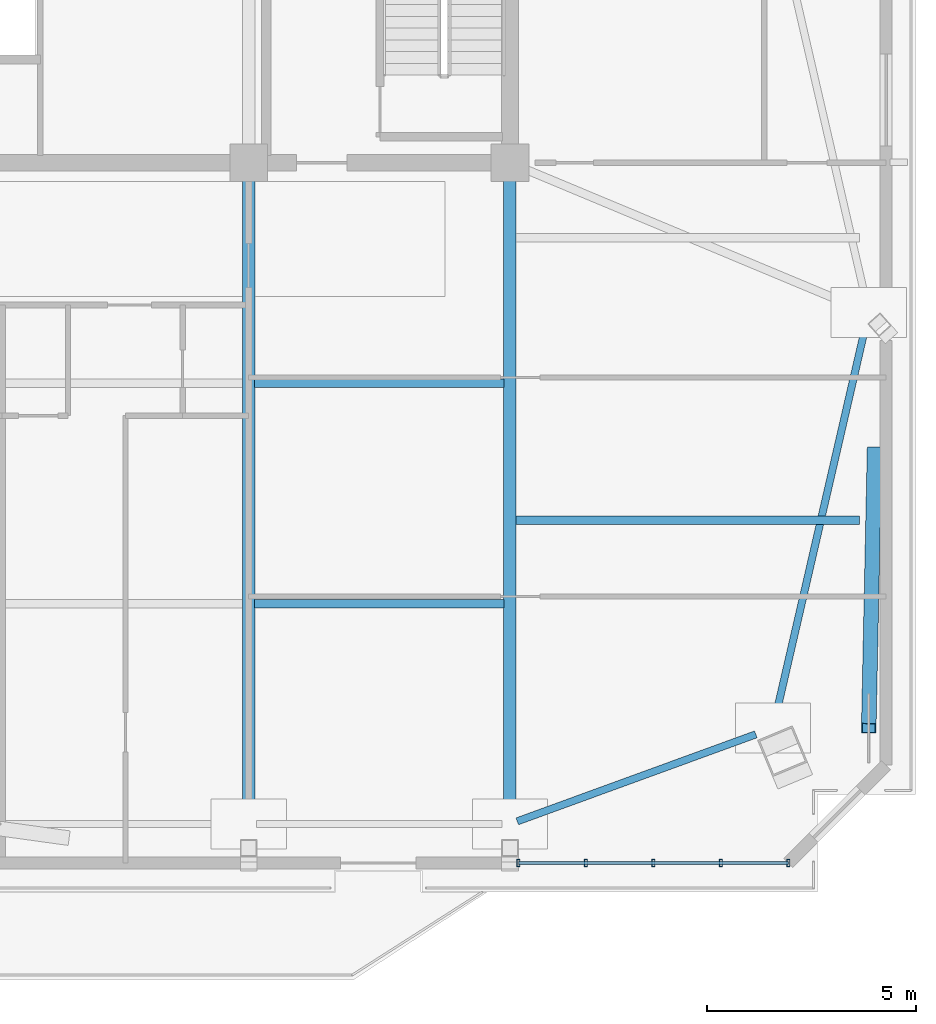
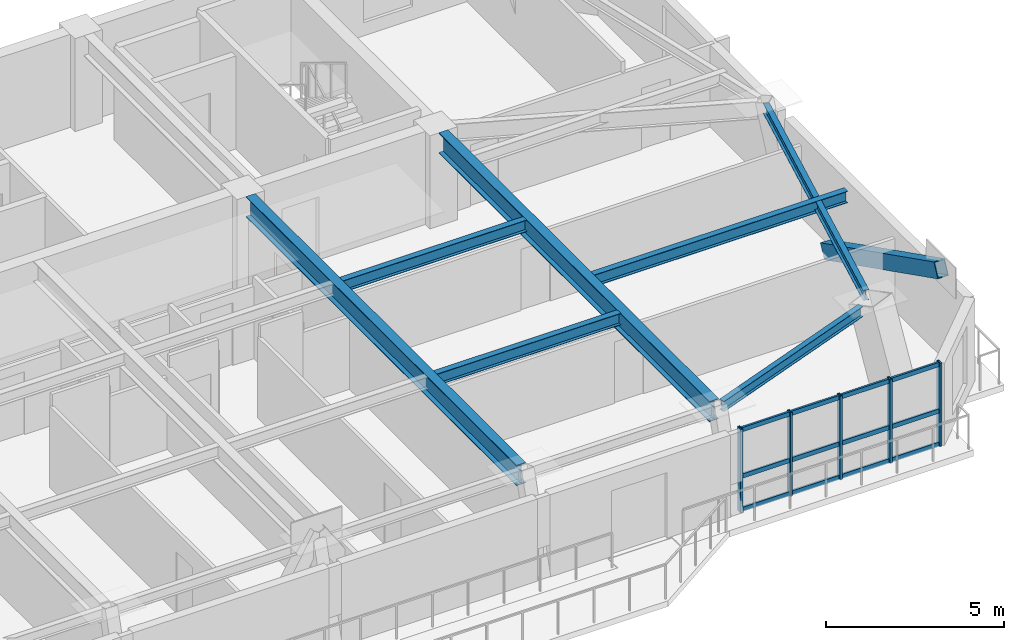
# One storey, part 4 of 14: 9 members, 7 beams, 1 element without a shape of its own.
"""IFC4 building model written with IfcOpenShell, lengths in metres."""

from ifc_helpers import new_model, si_unit, direction, frame, origin, origin_2d, place, context, subcontext, project, spatial, hollow_rectangle, i_section, extrude, source, transform, mapped, material, layer, layer_set, material_profile, profile_set, type_object, element, aggregate, save


model = new_model("IFC4")

# Units and contexts
model_context = context("Model", 3, precision=1e-05, world=origin(), true_north=direction((0.0, 1.0)))
body_context = subcontext(model_context, "Body", "Model", "MODEL_VIEW")
ifc_project = project(units=[si_unit("LENGTHUNIT", "METRE"), si_unit("AREAUNIT", "SQUARE_METRE"), si_unit("VOLUMEUNIT", "CUBIC_METRE"), si_unit("PLANEANGLEUNIT", "RADIAN"), si_unit("MASSUNIT", "GRAM", prefix="KILO")], contexts=[model_context])

# Site, building, storey
site_placement = place(None, origin())
site = spatial("IfcSite", under=ifc_project, at=site_placement, CompositionType="ELEMENT")
building_placement = place(site_placement, origin())
building = spatial("IfcBuilding", under=site, at=building_placement, Name="Giltprow Tower", CompositionType="ELEMENT")
storey_placement = place(building_placement, frame((0.0, 0.0, 321.0)))
storey = spatial("IfcBuildingStorey", under=building, at=storey_placement, Name="L83", CompositionType="ELEMENT", Elevation=321.0)

# Beams
ifc_material_1 = material(Name="Structural steel Q355B", Category="steel")
ifc_material_profile_1 = material_profile(ifc_material_1, i_section(OverallWidth=0.199951171875, OverallDepth=0.39990234375, WebThickness=0.008056640625, FlangeThickness=0.012939453125, at=origin_2d()), Name="HN 400x200x8x13")
ifc_profile_set_1 = profile_set([ifc_material_profile_1], Name="Structural steel Q355B")
beam_type_1 = type_object("IfcBeamType", Name="BM-JOIST-HN400", PredefinedType="JOIST", material=ifc_profile_set_1)
shared_shape_1 = source(origin(), body_context, "Body", "SweptSolid", [
    extrude(i_section(OverallWidth=0.199951171875, OverallDepth=0.39990234375, WebThickness=0.008056640625, FlangeThickness=0.012939453125, at=origin_2d()), origin(), (0.0, 0.0, 1.0), 5.9599609375),
])
for number, where, z_axis, x_axis, name in (
    (1, (44.445068359375, 26.906982421875, 2.985107421875), (1.0, 0.0, 0.0), (0.0, 1.0, 0.0), "L83 Composite Floor Joist 1-4"),
    (2, (44.445068359375, 32.178955078125, 2.985107421875), (1.0, 0.0, 0.0), (0.0, 1.0, 0.0), "L83 Composite Floor Joist 2-4"),
):
    element("IfcBeam", number, at=place(storey_placement, frame(where, z_axis=z_axis, x_axis=x_axis)), inside=storey, type_object=beam_type_1, Name=name, PredefinedType="JOIST", context=body_context, shape_type="MappedRepresentation", body=[
        mapped(shared_shape_1, transform((0.0, 0.0, 0.0), x_axis=(1.0, 0.0, 0.0), y_axis=(0.0, 1.0, 0.0), z_axis=(0.0, 0.0, 1.0), scale=1.0)),
    ])
ifc_material_profile_2 = material_profile(ifc_material_1, i_section(OverallWidth=0.175048828125, OverallDepth=0.35009765625, WebThickness=0.007080078125, FlangeThickness=0.010986328125, at=origin_2d()), Name="HN 350x175x7x11")
ifc_profile_set_2 = profile_set([ifc_material_profile_2], Name="Structural steel Q355B")
beam_type_2 = type_object("IfcBeamType", Name="BM-SPAN-HN350", PredefinedType="SPANDREL", material=ifc_profile_set_2)
shared_shape_2 = source(origin(), body_context, "Body", "SweptSolid", [
    extrude(i_section(OverallWidth=0.175048828125, OverallDepth=0.35009765625, WebThickness=0.007080078125, FlangeThickness=0.010986328125, at=origin_2d()), origin(), (0.0, 0.0, 1.0), 6.0732421875),
])
beam_1_placement = place(storey_placement, frame((50.72412109375, 21.698974609375, 3.010009765625), z_axis=(0.939516115667, 0.342504698365, 0.0), x_axis=(-0.342504698365, 0.939516115667, 0.0)))
element("IfcBeam", 3, at=beam_1_placement, inside=storey, type_object=beam_type_2, Name="L83 Perimeter Spandrel Beam S4-MC_SE", PredefinedType="SPANDREL", context=body_context, shape_type="MappedRepresentation", body=[
    mapped(shared_shape_2, transform((0.0, 0.0, 0.0), x_axis=(1.0, 0.0, 0.0), y_axis=(0.0, 1.0, 0.0), z_axis=(0.0, 0.0, 1.0), scale=1.0)),
])
shared_shape_3 = source(origin(), body_context, "Body", "SweptSolid", [
    extrude(i_section(OverallWidth=0.175048828125, OverallDepth=0.35009765625, WebThickness=0.007080078125, FlangeThickness=0.010986328125, at=origin_2d()), origin(), (0.0, 0.0, 1.0), 9.580810546875),
])
beam_2_placement = place(storey_placement, frame((56.93701171875, 24.35205078125, 3.010009765625), z_axis=(0.224626866527, 0.974444852639, 0.0), x_axis=(-0.974444852639, 0.224626866527, 0.0)))
element("IfcBeam", 4, at=beam_2_placement, inside=storey, type_object=beam_type_2, Name="L83 Perimeter Spandrel Beam MC_SE-E_MID", PredefinedType="SPANDREL", context=body_context, shape_type="MappedRepresentation", body=[
    mapped(shared_shape_3, transform((0.0, 0.0, 0.0), x_axis=(1.0, 0.0, 0.0), y_axis=(0.0, 1.0, 0.0), z_axis=(0.0, 0.0, 1.0), scale=1.0)),
])
ifc_material_profile_3 = material_profile(ifc_material_1, i_section(OverallWidth=0.300048828125, OverallDepth=0.699951171875, WebThickness=0.012939453125, FlangeThickness=0.02392578125, at=origin_2d()), Name="HN 700x300x13x24")
ifc_profile_set_3 = profile_set([ifc_material_profile_3], Name="Structural steel Q355B")
beam_type_3 = type_object("IfcBeamType", Name="BM-GIRD-HN700", PredefinedType="BEAM", material=ifc_profile_set_3)
shared_shape_4 = source(origin(), body_context, "Body", "SweptSolid", [
    extrude(i_section(OverallWidth=0.300048828125, OverallDepth=0.699951171875, WebThickness=0.012939453125, FlangeThickness=0.02392578125, at=origin_2d()), origin(), (0.0, 0.0, 1.0), 15.19384765625),
])
for number, where, z_axis, x_axis, name in (
    (5, (44.300048828125, 21.821044921875, 2.8349609375), (0.0, 1.0, 0.0), (-1.0, 0.0, 0.0), "L83 Primary Lease Girder S3"),
    (6, (50.550048828125, 21.821044921875, 2.8349609375), (0.0, 1.0, 0.0), (-1.0, 0.0, 0.0), "L83 Primary Lease Girder S4"),
):
    element("IfcBeam", number, at=place(storey_placement, frame(where, z_axis=z_axis, x_axis=x_axis)), inside=storey, type_object=beam_type_3, Name=name, PredefinedType="BEAM", context=body_context, shape_type="MappedRepresentation", body=[
        mapped(shared_shape_4, transform((0.0, 0.0, 0.0), x_axis=(1.0, 0.0, 0.0), y_axis=(0.0, 1.0, 0.0), z_axis=(0.0, 0.0, 1.0), scale=1.0)),
    ])
shared_shape_5 = source(origin(), body_context, "Body", "SweptSolid", [
    extrude(i_section(OverallWidth=0.199951171875, OverallDepth=0.39990234375, WebThickness=0.008056640625, FlangeThickness=0.012939453125, at=origin_2d()), origin(), (0.0, 0.0, 1.0), 8.2158203125),
])
beam_3_placement = place(storey_placement, frame((50.695068359375, 28.89794921875, 2.985107421875), z_axis=(1.0, 0.0, 0.0), x_axis=(0.0, 1.0, 0.0)))
element("IfcBeam", 7, at=beam_3_placement, inside=storey, type_object=beam_type_1, Name="L83 East Wing Floor Joist 1", PredefinedType="JOIST", context=body_context, shape_type="MappedRepresentation", body=[
    mapped(shared_shape_5, transform((0.0, 0.0, 0.0), x_axis=(1.0, 0.0, 0.0), y_axis=(0.0, 1.0, 0.0), z_axis=(0.0, 0.0, 1.0), scale=1.0)),
])

# Member
ifc_material_2 = material(Name="Structural steel Q420GJC", Category="steel")
ifc_material_profile_4 = material_profile(ifc_material_2, hollow_rectangle(XDim=0.35009765625, YDim=0.5, WallThickness=0.02392578125, at=origin_2d()), Name="RHS 500x350x24")
ifc_profile_set_4 = profile_set([ifc_material_profile_4], Name="Structural steel Q420GJC")
member_type_1 = type_object("IfcMemberType", Name="MBR-MEGA-RHS500", PredefinedType="BRACE", material=ifc_profile_set_4)
shared_shape_6 = source(origin(), body_context, "Body", "SweptSolid", [
    extrude(hollow_rectangle(XDim=0.35009765625, YDim=0.5, WallThickness=0.02392578125, at=origin_2d()), origin(), (0.0, 0.0, 1.0), 7.435302734375),
])
member_1_placement = place(storey_placement, frame((59.26904296875, 30.5390625, 0.0), z_axis=(-0.018551782726, -0.889139335288, 0.457260400429), x_axis=(0.999782399503, -0.020860336634, 0.0)))
element("IfcMember", 8, at=member_1_placement, inside=storey, type_object=member_type_1, Name="L83 Chevron Mega-Brace E-D", PredefinedType="BRACE", context=body_context, shape_type="MappedRepresentation", body=[
    mapped(shared_shape_6, transform((0.0, 0.0, 0.0), x_axis=(1.0, 0.0, 0.0), y_axis=(0.0, 1.0, 0.0), z_axis=(0.0, 0.0, 1.0), scale=1.0)),
])

# Curtain wall, members
ifc_material_3 = material(Name="Anodized bronze", Category="metal")
ifc_layer = layer(ifc_material_3, 0.179931640625, Name="Anodized bronze")
ifc_layer_set = layer_set([ifc_layer], Name="Anodized bronze")
curtain_wall_type = type_object("IfcCurtainWallType", Name="CW-RES-SKY", PredefinedType="NOTDEFINED", material=ifc_layer_set)
curtain_wall_placement = place(storey_placement, origin())
curtain_wall = element("IfcCurtainWall", 9, at=curtain_wall_placement, inside=storey, type_object=curtain_wall_type, Name="L83 South Recessed Curtain Wall 6", PredefinedType="NOTDEFINED")
ifc_material_profile_5 = material_profile(ifc_material_3, hollow_rectangle(XDim=0.074951171875, YDim=0.179931640625, WallThickness=0.008056640625, at=origin_2d()), Name="RHS 180x75x8")
ifc_profile_set_5 = profile_set([ifc_material_profile_5], Name="Anodized bronze")
member_type_2 = type_object("IfcMemberType", Name="CW-MULLION-180x75", PredefinedType="MULLION", material=ifc_profile_set_5)
shared_shape_7 = source(origin(), body_context, "Body", "SweptSolid", [
    extrude(hollow_rectangle(XDim=0.074951171875, YDim=0.179931640625, WallThickness=0.008056640625, at=origin_2d()), origin(), (0.0, 0.0, 1.0), 2.8701171875),
])
member_2_placement = place(storey_placement, frame((50.75, 20.7041015625, -0.02001953125), z_axis=(0.0, 0.0, 1.0), x_axis=(1.0, 0.0, 0.0)))
member_2 = element("IfcMember", 10, at=member_2_placement, type_object=member_type_2, Name="L83 South Recessed Curtain Wall 6 Mullion 1", PredefinedType="MULLION", context=body_context, shape_type="MappedRepresentation", body=[
    mapped(shared_shape_7, transform((0.0, 0.0, 0.0), x_axis=(1.0, 0.0, 0.0), y_axis=(0.0, 1.0, 0.0), z_axis=(0.0, 0.0, 1.0), scale=1.0)),
])
member_3_placement = place(storey_placement, frame((52.364013671875, 20.7041015625, -0.02001953125), z_axis=(0.0, 0.0, 1.0), x_axis=(1.0, 0.0, 0.0)))
member_3 = element("IfcMember", 11, at=member_3_placement, type_object=member_type_2, Name="L83 South Recessed Curtain Wall 6 Mullion 2", PredefinedType="MULLION", context=body_context, shape_type="MappedRepresentation", body=[
    mapped(shared_shape_7, transform((0.0, 0.0, 0.0), x_axis=(1.0, 0.0, 0.0), y_axis=(0.0, 1.0, 0.0), z_axis=(0.0, 0.0, 1.0), scale=1.0)),
])
member_4_placement = place(storey_placement, frame((53.97900390625, 20.7041015625, -0.02001953125), z_axis=(0.0, 0.0, 1.0), x_axis=(1.0, 0.0, 0.0)))
member_4 = element("IfcMember", 12, at=member_4_placement, type_object=member_type_2, Name="L83 South Recessed Curtain Wall 6 Mullion 3", PredefinedType="MULLION", context=body_context, shape_type="MappedRepresentation", body=[
    mapped(shared_shape_7, transform((0.0, 0.0, 0.0), x_axis=(1.0, 0.0, 0.0), y_axis=(0.0, 1.0, 0.0), z_axis=(0.0, 0.0, 1.0), scale=1.0)),
])
member_5_placement = place(storey_placement, frame((55.593017578125, 20.7041015625, -0.02001953125), z_axis=(0.0, 0.0, 1.0), x_axis=(1.0, 0.0, 0.0)))
member_5 = element("IfcMember", 13, at=member_5_placement, type_object=member_type_2, Name="L83 South Recessed Curtain Wall 6 Mullion 4", PredefinedType="MULLION", context=body_context, shape_type="MappedRepresentation", body=[
    mapped(shared_shape_7, transform((0.0, 0.0, 0.0), x_axis=(1.0, 0.0, 0.0), y_axis=(0.0, 1.0, 0.0), z_axis=(0.0, 0.0, 1.0), scale=1.0)),
])
member_6_placement = place(storey_placement, frame((57.2080078125, 20.7041015625, -0.02001953125), z_axis=(0.0, 0.0, 1.0), x_axis=(1.0, 0.0, 0.0)))
member_6 = element("IfcMember", 14, at=member_6_placement, type_object=member_type_2, Name="L83 South Recessed Curtain Wall 6 Mullion 5", PredefinedType="MULLION", context=body_context, shape_type="MappedRepresentation", body=[
    mapped(shared_shape_7, transform((0.0, 0.0, 0.0), x_axis=(1.0, 0.0, 0.0), y_axis=(0.0, 1.0, 0.0), z_axis=(0.0, 0.0, 1.0), scale=1.0)),
])
ifc_material_profile_6 = material_profile(ifc_material_3, hollow_rectangle(XDim=0.06494140625, YDim=0.14990234375, WallThickness=0.006103515625, at=origin_2d()), Name="RHS 150x65x6")
ifc_profile_set_6 = profile_set([ifc_material_profile_6], Name="Anodized bronze")
member_type_3 = type_object("IfcMemberType", Name="CW-TRANSOM-150x65", PredefinedType="USERDEFINED", material=ifc_profile_set_6)
shared_shape_8 = source(origin(), body_context, "Body", "SweptSolid", [
    extrude(hollow_rectangle(XDim=0.06494140625, YDim=0.14990234375, WallThickness=0.006103515625, at=origin_2d()), origin(), (0.0, 0.0, 1.0), 6.4580078125),
])
member_7_placement = place(storey_placement, frame((50.75, 20.7041015625, 0.0400390625), z_axis=(1.0, 0.0, 0.0), x_axis=(0.0, 1.0, 0.0)))
member_7 = element("IfcMember", 15, at=member_7_placement, type_object=member_type_3, Name="L83 South Recessed Curtain Wall 6 Transom 1", ObjectType="TRANSOM", PredefinedType="USERDEFINED", context=body_context, shape_type="MappedRepresentation", body=[
    mapped(shared_shape_8, transform((0.0, 0.0, 0.0), x_axis=(1.0, 0.0, 0.0), y_axis=(0.0, 1.0, 0.0), z_axis=(0.0, 0.0, 1.0), scale=1.0)),
])
member_8_placement = place(storey_placement, frame((50.75, 20.7041015625, 1.181884765625), z_axis=(1.0, 0.0, 0.0), x_axis=(0.0, 1.0, 0.0)))
member_8 = element("IfcMember", 16, at=member_8_placement, type_object=member_type_3, Name="L83 South Recessed Curtain Wall 6 Transom 2", ObjectType="TRANSOM", PredefinedType="USERDEFINED", context=body_context, shape_type="MappedRepresentation", body=[
    mapped(shared_shape_8, transform((0.0, 0.0, 0.0), x_axis=(1.0, 0.0, 0.0), y_axis=(0.0, 1.0, 0.0), z_axis=(0.0, 0.0, 1.0), scale=1.0)),
])
member_9_placement = place(storey_placement, frame((50.75, 20.7041015625, 2.77490234375), z_axis=(1.0, 0.0, 0.0), x_axis=(0.0, 1.0, 0.0)))
member_9 = element("IfcMember", 17, at=member_9_placement, type_object=member_type_3, Name="L83 South Recessed Curtain Wall 6 Transom 3", ObjectType="TRANSOM", PredefinedType="USERDEFINED", context=body_context, shape_type="MappedRepresentation", body=[
    mapped(shared_shape_8, transform((0.0, 0.0, 0.0), x_axis=(1.0, 0.0, 0.0), y_axis=(0.0, 1.0, 0.0), z_axis=(0.0, 0.0, 1.0), scale=1.0)),
])
aggregate(curtain_wall, [member_2, member_3, member_4, member_5, member_6, member_7, member_8, member_9])

save(model, "model.ifc")
